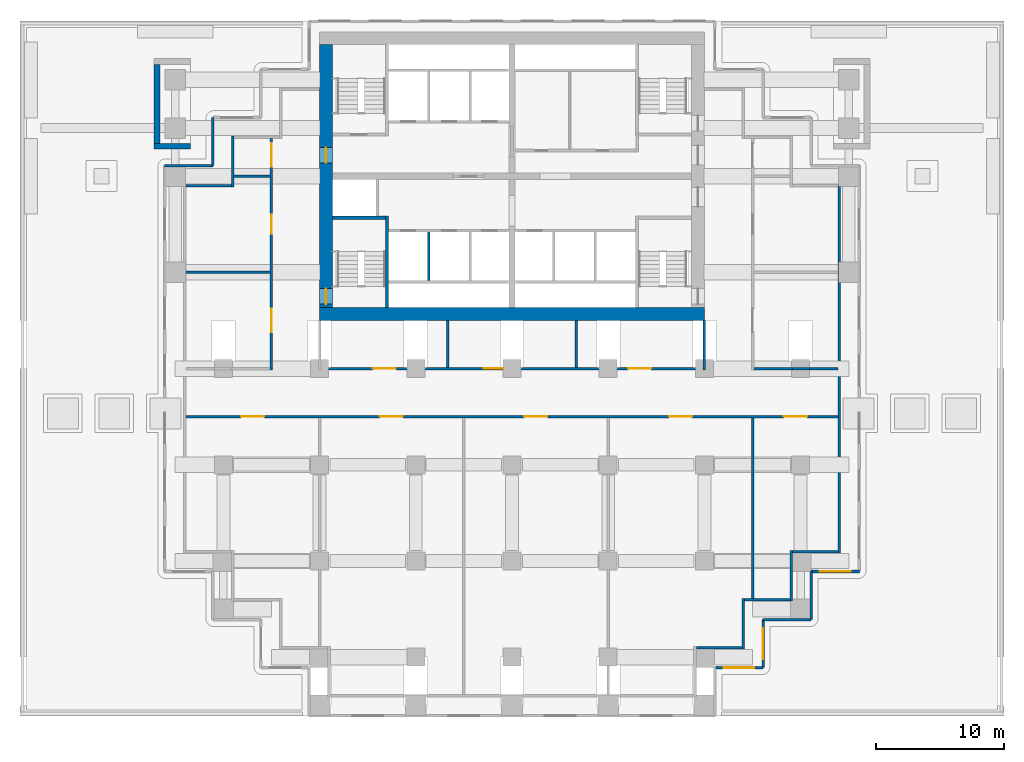
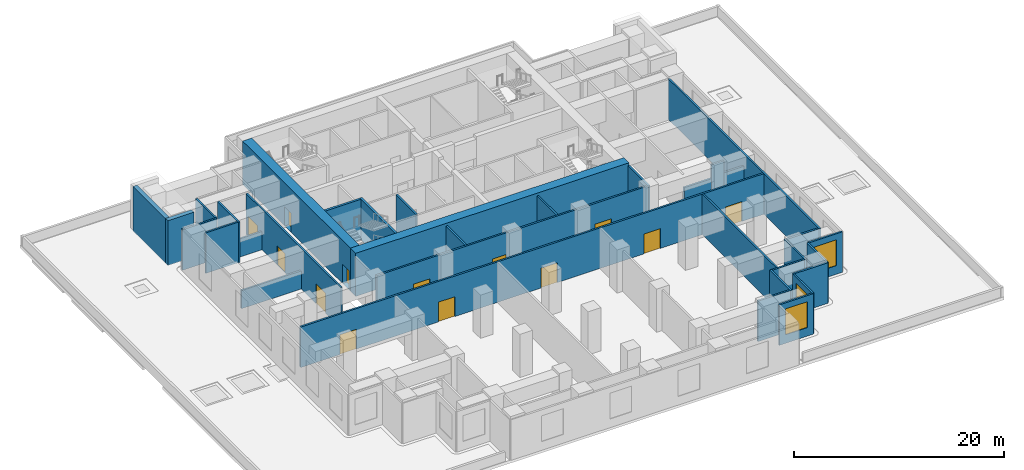
# One storey, part 3 of 9: 34 walls, 13 doors, 3 windows, 16 openings.
"""IFC4 building model written with IfcOpenShell, lengths in metres."""

from ifc_helpers import new_model, si_unit, direction, frame, frame_2d, origin, place, context, subcontext, project, spatial, rectangle, extrude, material, layer, layer_set, type_object, element, fill, save


model = new_model("IFC4")

# Units and contexts
model_context = context("Model", 3, precision=1e-05, world=origin(), true_north=direction((0.0, 1.0)))
body_context = subcontext(model_context, "Body", "Model", "MODEL_VIEW")
ifc_project = project(units=[si_unit("LENGTHUNIT", "METRE"), si_unit("AREAUNIT", "SQUARE_METRE"), si_unit("VOLUMEUNIT", "CUBIC_METRE"), si_unit("PLANEANGLEUNIT", "RADIAN"), si_unit("MASSUNIT", "GRAM", prefix="KILO")], contexts=[model_context])

# Site, building, storey
site_placement = place(None, origin())
site = spatial("IfcSite", under=ifc_project, at=site_placement, CompositionType="ELEMENT")
building_placement = place(site_placement, origin())
building = spatial("IfcBuilding", under=site, at=building_placement, Name="Pilkhan Gate Tower", CompositionType="ELEMENT")
storey_placement = place(building_placement, frame((0.0, 0.0, 30.0)))
storey = spatial("IfcBuildingStorey", under=building, at=storey_placement, Name="L04", CompositionType="ELEMENT", Elevation=30.0)

# Wall
ifc_material_1 = material(Name="Concrete C70/85", Category="concrete")
ifc_layer_1 = layer(ifc_material_1, 1.0)
ifc_layer_set_1 = layer_set([ifc_layer_1], Name="Core wall CW1000 C70/85")
wall_type_1 = type_object("IfcWallType", Name="Core wall CW1000 C70/85", PredefinedType="SHEAR", material=ifc_layer_set_1)
wall_1_placement = place(storey_placement, frame((60.0, 71.75, 0.0), z_axis=(0.0, 0.0, 1.0), x_axis=(1.0, 0.0, 0.0)))
element("IfcWall", 1, at=wall_1_placement, inside=storey, type_object=wall_type_1, Name="Core wall S L04", PredefinedType="SHEAR", context=body_context, shape_type="SweptSolid", body=[
    extrude(rectangle(XDim=30.0, YDim=1.0, at=frame_2d((15.0, 0.0))), origin(), (0.0, 0.0, 1.0), 5.0),
])

# Wall, openings, doors
wall_2_placement = place(storey_placement, frame((60.5, 92.75, 0.0), z_axis=(0.0, 0.0, 1.0), x_axis=(0.0, -1.0, 0.0)))
wall_2 = element("IfcWall", 2, at=wall_2_placement, inside=storey, type_object=wall_type_1, Name="Core wall W L04", PredefinedType="SHEAR", context=body_context, shape_type="SweptSolid", body=[
    extrude(rectangle(XDim=20.5, YDim=1.0, at=frame_2d((10.25, 0.0))), origin(), (0.0, 0.0, 1.0), 5.0),
])
opening_1_placement = place(wall_2_placement, frame((19.02490234375, 0.0, 0.0)))
opening_1 = element("IfcOpeningElement", 3, at=opening_1_placement, cuts=wall_2, Name="Opening L04-04", PredefinedType="OPENING", context=body_context, shape_type="SweptSolid", body=[
    extrude(rectangle(XDim=1.199951171875, YDim=2.199951171875, at=frame_2d((0.60009765625, 1.10009765625))), frame((0.0, 0.510009765625, 0.0), z_axis=(0.0, -1.0, 0.0), x_axis=(1.0, 0.0, 0.0)), (0.0, 0.0, 1.0), 1.02001953125),
])
opening_2_placement = place(wall_2_placement, frame((8.02490234375, 0.0, 0.0)))
opening_2 = element("IfcOpeningElement", 4, at=opening_2_placement, cuts=wall_2, Name="Opening L04-10", PredefinedType="OPENING", context=body_context, shape_type="SweptSolid", body=[
    extrude(rectangle(XDim=1.199951171875, YDim=2.199951171875, at=frame_2d((0.60009765625, 1.10009765625))), frame((0.0, 0.510009765625, 0.0), z_axis=(0.0, -1.0, 0.0), x_axis=(1.0, 0.0, 0.0)), (0.0, 0.0, 1.0), 1.02001953125),
])
ifc_material_2 = material(Name="Steel door, 120 minute fire resisting, self-closing", Category="steel")
door_type_1 = type_object("IfcDoorType", Name="Firefighting lobby door D10 1200x2200", OperationType="SINGLE_SWING_LEFT", PredefinedType="DOOR", material=ifc_material_2)
door_1_placement = place(opening_2_placement, origin())
door_1 = element("IfcDoor", 5, at=door_1_placement, inside=storey, type_object=door_type_1, Name="Core door", OperationType="SINGLE_SWING_LEFT", OverallHeight=2.199951171875, OverallWidth=1.199951171875, PredefinedType="DOOR", context=body_context, shape_type="SweptSolid", body=[
    extrude(rectangle(XDim=1.199951171875, YDim=2.199951171875, at=frame_2d((0.60009765625, 1.10009765625))), frame((0.0, 0.02490234375, 0.0), z_axis=(0.0, -1.0, 0.0), x_axis=(1.0, 0.0, 0.0)), (0.0, 0.0, 1.0), 0.050048828125),
])
fill(opening_2, door_1)
ifc_material_3 = material(Name="Steel door, 120 minute fire resisting, panic bar", Category="steel")
door_type_2 = type_object("IfcDoorType", Name="Stair door D11 1200x2200", OperationType="SINGLE_SWING_LEFT", PredefinedType="DOOR", material=ifc_material_3)
door_2_placement = place(opening_1_placement, origin())
door_2 = element("IfcDoor", 6, at=door_2_placement, inside=storey, type_object=door_type_2, Name="Stair ST2 door", OperationType="SINGLE_SWING_RIGHT", OverallHeight=2.199951171875, OverallWidth=1.199951171875, PredefinedType="DOOR", context=body_context, shape_type="SweptSolid", body=[
    extrude(rectangle(XDim=1.199951171875, YDim=2.199951171875, at=frame_2d((0.60009765625, 1.10009765625))), frame((0.0, 0.02490234375, 0.0), z_axis=(0.0, -1.0, 0.0), x_axis=(1.0, 0.0, 0.0)), (0.0, 0.0, 1.0), 0.050048828125),
])
fill(opening_1, door_2)

# Walls
ifc_material_4 = material(Name="Dense blockwork", Category="masonry")
ifc_layer_2 = layer(ifc_material_4, 0.199951171875)
ifc_layer_set_2 = layer_set([ifc_layer_2], Name="Lobby wall LW200")
wall_type_2 = type_object("IfcWallType", Name="Lobby wall LW200", PredefinedType="PARTITIONING", material=ifc_layer_set_2)
for number, where, z_axis, x_axis, name in (
    (7, (89.364990234375, 45.735107421875, 0.0), (0.0, 0.0, 1.0), (1.0, 0.0, 0.0), "Partition L04"),
    (8, (93.114990234375, 49.485107421875, 0.0), (0.0, 0.0, 1.0), (1.0, 0.0, 0.0), "Partition L04"),
    (9, (96.864990234375, 53.235107421875, 0.0), (0.0, 0.0, 1.0), (1.0, 0.0, 0.0), "Partition L04"),
):
    element("IfcWall", number, at=place(storey_placement, frame(where, z_axis=z_axis, x_axis=x_axis)), inside=storey, type_object=wall_type_2, Name=name, PredefinedType="PARTITIONING", context=body_context, shape_type="SweptSolid", body=[
        extrude(rectangle(XDim=3.550048828125, YDim=0.199951171875, at=frame_2d((1.77490234375, 0.0))), origin(), (0.0, 0.0, 1.0), 4.699951171875),
    ])

# Wall, openings, doors
wall_3_placement = place(storey_placement, frame((49.5849609375, 63.75, 0.0), z_axis=(0.0, 0.0, 1.0), x_axis=(1.0, 0.0, 0.0)))
wall_3 = element("IfcWall", 10, at=wall_3_placement, inside=storey, type_object=wall_type_2, Name="Partition L04", PredefinedType="PARTITIONING", context=body_context, shape_type="SweptSolid", body=[
    extrude(rectangle(XDim=50.830078125, YDim=0.199951171875, at=frame_2d((25.4150390625, 0.0))), origin(), (0.0, 0.0, 1.0), 4.699951171875),
])
opening_3_placement = place(wall_3_placement, frame((4.300048828125, 0.0, 0.0)))
opening_3 = element("IfcOpeningElement", 11, at=opening_3_placement, cuts=wall_3, Name="Opening L04-14", PredefinedType="OPENING", context=body_context, shape_type="SweptSolid", body=[
    extrude(rectangle(XDim=1.800048828125, YDim=2.300048828125, at=frame_2d((0.89990234375, 1.14990234375))), frame((0.0, 0.10986328125, 0.0), z_axis=(0.0, -1.0, 0.0), x_axis=(1.0, 0.0, 0.0)), (0.0, 0.0, 1.0), 0.219970703125),
])
opening_4_placement = place(wall_3_placement, frame((15.114990234375, 0.0, 0.0)))
opening_4 = element("IfcOpeningElement", 12, at=opening_4_placement, cuts=wall_3, Name="Opening L04-15", PredefinedType="OPENING", context=body_context, shape_type="SweptSolid", body=[
    extrude(rectangle(XDim=1.800048828125, YDim=2.300048828125, at=frame_2d((0.89990234375, 1.14990234375))), frame((0.0, 0.10986328125, 0.0), z_axis=(0.0, -1.0, 0.0), x_axis=(1.0, 0.0, 0.0)), (0.0, 0.0, 1.0), 0.219970703125),
])
opening_5_placement = place(wall_3_placement, frame((26.364990234375, 0.0, 0.0)))
opening_5 = element("IfcOpeningElement", 13, at=opening_5_placement, cuts=wall_3, Name="Opening L04-16", PredefinedType="OPENING", context=body_context, shape_type="SweptSolid", body=[
    extrude(rectangle(XDim=1.800048828125, YDim=2.300048828125, at=frame_2d((0.89990234375, 1.14990234375))), frame((0.0, 0.10986328125, 0.0), z_axis=(0.0, -1.0, 0.0), x_axis=(1.0, 0.0, 0.0)), (0.0, 0.0, 1.0), 0.219970703125),
])
opening_6_placement = place(wall_3_placement, frame((37.6650390625, 0.0, 0.0)))
opening_6 = element("IfcOpeningElement", 14, at=opening_6_placement, cuts=wall_3, Name="Opening L04-17", PredefinedType="OPENING", context=body_context, shape_type="SweptSolid", body=[
    extrude(rectangle(XDim=1.800048828125, YDim=2.300048828125, at=frame_2d((0.89990234375, 1.14990234375))), frame((0.0, 0.10986328125, 0.0), z_axis=(0.0, -1.0, 0.0), x_axis=(1.0, 0.0, 0.0)), (0.0, 0.0, 1.0), 0.219970703125),
])
opening_7_placement = place(wall_3_placement, frame((46.614990234375, 0.0, 0.0)))
opening_7 = element("IfcOpeningElement", 15, at=opening_7_placement, cuts=wall_3, Name="Opening L04-18", PredefinedType="OPENING", context=body_context, shape_type="SweptSolid", body=[
    extrude(rectangle(XDim=1.800048828125, YDim=2.300048828125, at=frame_2d((0.89990234375, 1.14990234375))), frame((0.0, 0.10986328125, 0.0), z_axis=(0.0, -1.0, 0.0), x_axis=(1.0, 0.0, 0.0)), (0.0, 0.0, 1.0), 0.219970703125),
])
ifc_material_5 = material(Name="Steel door, 120 minute fire resisting", Category="steel")
door_type_3 = type_object("IfcDoorType", Name="Plant room door D08A 1800x2300", OperationType="DOUBLE_DOOR_SINGLE_SWING", PredefinedType="DOOR", material=ifc_material_5)
door_3_placement = place(opening_3_placement, origin())
door_3 = element("IfcDoor", 16, at=door_3_placement, inside=storey, type_object=door_type_3, Name="Plant room door", OperationType="DOUBLE_DOOR_SINGLE_SWING", OverallHeight=2.300048828125, OverallWidth=1.800048828125, PredefinedType="DOOR", context=body_context, shape_type="SweptSolid", body=[
    extrude(rectangle(XDim=1.800048828125, YDim=2.300048828125, at=frame_2d((0.89990234375, 1.14990234375))), frame((0.0, 0.02490234375, 0.0), z_axis=(0.0, -1.0, 0.0), x_axis=(1.0, 0.0, 0.0)), (0.0, 0.0, 1.0), 0.050048828125),
])
fill(opening_3, door_3)
door_4_placement = place(opening_4_placement, origin())
door_4 = element("IfcDoor", 17, at=door_4_placement, inside=storey, type_object=door_type_3, Name="Plant room door", OperationType="DOUBLE_DOOR_SINGLE_SWING", OverallHeight=2.300048828125, OverallWidth=1.800048828125, PredefinedType="DOOR", context=body_context, shape_type="SweptSolid", body=[
    extrude(rectangle(XDim=1.800048828125, YDim=2.300048828125, at=frame_2d((0.89990234375, 1.14990234375))), frame((0.0, 0.02490234375, 0.0), z_axis=(0.0, -1.0, 0.0), x_axis=(1.0, 0.0, 0.0)), (0.0, 0.0, 1.0), 0.050048828125),
])
fill(opening_4, door_4)
door_5_placement = place(opening_5_placement, origin())
door_5 = element("IfcDoor", 18, at=door_5_placement, inside=storey, type_object=door_type_3, Name="Plant room door", OperationType="DOUBLE_DOOR_SINGLE_SWING", OverallHeight=2.300048828125, OverallWidth=1.800048828125, PredefinedType="DOOR", context=body_context, shape_type="SweptSolid", body=[
    extrude(rectangle(XDim=1.800048828125, YDim=2.300048828125, at=frame_2d((0.89990234375, 1.14990234375))), frame((0.0, 0.02490234375, 0.0), z_axis=(0.0, -1.0, 0.0), x_axis=(1.0, 0.0, 0.0)), (0.0, 0.0, 1.0), 0.050048828125),
])
fill(opening_5, door_5)
door_6_placement = place(opening_6_placement, origin())
door_6 = element("IfcDoor", 19, at=door_6_placement, inside=storey, type_object=door_type_3, Name="Plant room door", OperationType="DOUBLE_DOOR_SINGLE_SWING", OverallHeight=2.300048828125, OverallWidth=1.800048828125, PredefinedType="DOOR", context=body_context, shape_type="SweptSolid", body=[
    extrude(rectangle(XDim=1.800048828125, YDim=2.300048828125, at=frame_2d((0.89990234375, 1.14990234375))), frame((0.0, 0.02490234375, 0.0), z_axis=(0.0, -1.0, 0.0), x_axis=(1.0, 0.0, 0.0)), (0.0, 0.0, 1.0), 0.050048828125),
])
fill(opening_6, door_6)
door_7_placement = place(opening_7_placement, origin())
door_7 = element("IfcDoor", 20, at=door_7_placement, inside=storey, type_object=door_type_3, Name="Plant room door", OperationType="DOUBLE_DOOR_SINGLE_SWING", OverallHeight=2.300048828125, OverallWidth=1.800048828125, PredefinedType="DOOR", context=body_context, shape_type="SweptSolid", body=[
    extrude(rectangle(XDim=1.800048828125, YDim=2.300048828125, at=frame_2d((0.89990234375, 1.14990234375))), frame((0.0, 0.02490234375, 0.0), z_axis=(0.0, -1.0, 0.0), x_axis=(1.0, 0.0, 0.0)), (0.0, 0.0, 1.0), 0.050048828125),
])
fill(opening_7, door_7)

wall_4_placement = place(storey_placement, frame((60.10009765625, 67.5, 0.0), z_axis=(0.0, 0.0, 1.0), x_axis=(1.0, 0.0, 0.0)))
wall_4 = element("IfcWall", 21, at=wall_4_placement, inside=storey, type_object=wall_type_2, Name="Partition L04", PredefinedType="PARTITIONING", context=body_context, shape_type="SweptSolid", body=[
    extrude(rectangle(XDim=29.7998046875, YDim=0.199951171875, at=frame_2d((14.89990234375, 0.0))), origin(), (0.0, 0.0, 1.0), 4.699951171875),
])
opening_8_placement = place(wall_4_placement, frame((12.699951171875, 0.0, 0.0)))
opening_8 = element("IfcOpeningElement", 22, at=opening_8_placement, cuts=wall_4, Name="Opening L04-06", PredefinedType="OPENING", context=body_context, shape_type="SweptSolid", body=[
    extrude(rectangle(XDim=1.5, YDim=2.199951171875, at=frame_2d((0.75, 1.10009765625))), frame((0.0, 0.10986328125, 0.0), z_axis=(0.0, -1.0, 0.0), x_axis=(1.0, 0.0, 0.0)), (0.0, 0.0, 1.0), 0.219970703125),
])
opening_9_placement = place(wall_4_placement, frame((4.050048828125, 0.0, 0.0)))
opening_9 = element("IfcOpeningElement", 23, at=opening_9_placement, cuts=wall_4, Name="Opening L04-19", PredefinedType="OPENING", context=body_context, shape_type="SweptSolid", body=[
    extrude(rectangle(XDim=1.800048828125, YDim=2.300048828125, at=frame_2d((0.89990234375, 1.14990234375))), frame((0.0, 0.10986328125, 0.0), z_axis=(0.0, -1.0, 0.0), x_axis=(1.0, 0.0, 0.0)), (0.0, 0.0, 1.0), 0.219970703125),
])
opening_10_placement = place(wall_4_placement, frame((23.949951171875, 0.0, 0.0)))
opening_10 = element("IfcOpeningElement", 24, at=opening_10_placement, cuts=wall_4, Name="Opening L04-20", PredefinedType="OPENING", context=body_context, shape_type="SweptSolid", body=[
    extrude(rectangle(XDim=1.800048828125, YDim=2.300048828125, at=frame_2d((0.89990234375, 1.14990234375))), frame((0.0, 0.10986328125, 0.0), z_axis=(0.0, -1.0, 0.0), x_axis=(1.0, 0.0, 0.0)), (0.0, 0.0, 1.0), 0.219970703125),
])
ifc_material_6 = material(Name="Steel framed glazed door, 60 minute fire resisting", Category="steel")
door_type_4 = type_object("IfcDoorType", Name="Lobby door D09 1500x2200", OperationType="DOUBLE_DOOR_SINGLE_SWING", PredefinedType="DOOR", material=ifc_material_6)
door_8_placement = place(opening_8_placement, origin())
door_8 = element("IfcDoor", 25, at=door_8_placement, inside=storey, type_object=door_type_4, Name="Refuge door", OperationType="DOUBLE_DOOR_SINGLE_SWING", OverallHeight=2.199951171875, OverallWidth=1.5, PredefinedType="DOOR", context=body_context, shape_type="SweptSolid", body=[
    extrude(rectangle(XDim=1.5, YDim=2.199951171875, at=frame_2d((0.75, 1.10009765625))), frame((0.0, 0.02490234375, 0.0), z_axis=(0.0, -1.0, 0.0), x_axis=(1.0, 0.0, 0.0)), (0.0, 0.0, 1.0), 0.050048828125),
])
fill(opening_8, door_8)
door_9_placement = place(opening_9_placement, origin())
door_9 = element("IfcDoor", 26, at=door_9_placement, inside=storey, type_object=door_type_3, Name="Plant room door", OperationType="DOUBLE_DOOR_SINGLE_SWING", OverallHeight=2.300048828125, OverallWidth=1.800048828125, PredefinedType="DOOR", context=body_context, shape_type="SweptSolid", body=[
    extrude(rectangle(XDim=1.800048828125, YDim=2.300048828125, at=frame_2d((0.89990234375, 1.14990234375))), frame((0.0, 0.02490234375, 0.0), z_axis=(0.0, -1.0, 0.0), x_axis=(1.0, 0.0, 0.0)), (0.0, 0.0, 1.0), 0.050048828125),
])
fill(opening_9, door_9)
door_10_placement = place(opening_10_placement, origin())
door_10 = element("IfcDoor", 27, at=door_10_placement, inside=storey, type_object=door_type_3, Name="Plant room door", OperationType="DOUBLE_DOOR_SINGLE_SWING", OverallHeight=2.300048828125, OverallWidth=1.800048828125, PredefinedType="DOOR", context=body_context, shape_type="SweptSolid", body=[
    extrude(rectangle(XDim=1.800048828125, YDim=2.300048828125, at=frame_2d((0.89990234375, 1.14990234375))), frame((0.0, 0.02490234375, 0.0), z_axis=(0.0, -1.0, 0.0), x_axis=(1.0, 0.0, 0.0)), (0.0, 0.0, 1.0), 0.050048828125),
])
fill(opening_10, door_10)

# Walls
wall_5_placement = place(storey_placement, frame((93.85009765625, 67.5, 0.0), z_axis=(0.0, 0.0, 1.0), x_axis=(1.0, 0.0, 0.0)))
element("IfcWall", 28, at=wall_5_placement, inside=storey, type_object=wall_type_2, Name="Partition L04", PredefinedType="PARTITIONING", context=body_context, shape_type="SweptSolid", body=[
    extrude(rectangle(XDim=3.0, YDim=0.199951171875, at=frame_2d((1.5, 0.0))), origin(), (0.0, 0.0, 1.0), 3.10009765625),
])
wall_6_placement = place(storey_placement, frame((96.85009765625, 67.5, 0.0), z_axis=(0.0, 0.0, 1.0), x_axis=(1.0, 0.0, 0.0)))
element("IfcWall", 29, at=wall_6_placement, inside=storey, type_object=wall_type_2, Name="Partition L04", PredefinedType="PARTITIONING", context=body_context, shape_type="SweptSolid", body=[
    extrude(rectangle(XDim=1.349853515625, YDim=0.199951171875, at=frame_2d((0.6748046875, 0.0))), origin(), (0.0, 0.0, 1.0), 4.699951171875),
])
wall_7_placement = place(storey_placement, frame((98.199951171875, 67.5, 0.0), z_axis=(0.0, 0.0, 1.0), x_axis=(1.0, 0.0, 0.0)))
element("IfcWall", 30, at=wall_7_placement, inside=storey, type_object=wall_type_2, Name="Partition L04", PredefinedType="PARTITIONING", context=body_context, shape_type="SweptSolid", body=[
    extrude(rectangle(XDim=2.215087890625, YDim=0.199951171875, at=frame_2d((1.107421875, 0.0))), origin(), (0.0, 0.0, 1.0), 3.300048828125),
])
wall_8_placement = place(storey_placement, frame((49.5849609375, 75.0, 0.0), z_axis=(0.0, 0.0, 1.0), x_axis=(1.0, 0.0, 0.0)))
element("IfcWall", 31, at=wall_8_placement, inside=storey, type_object=wall_type_2, Name="Partition L04", PredefinedType="PARTITIONING", context=body_context, shape_type="SweptSolid", body=[
    extrude(rectangle(XDim=6.56494140625, YDim=0.199951171875, at=frame_2d((3.282470703125, 0.0))), origin(), (0.0, 0.0, 1.0), 2.10009765625),
])
wall_9_placement = place(storey_placement, frame((49.5849609375, 81.764892578125, 0.0), z_axis=(0.0, 0.0, 1.0), x_axis=(1.0, 0.0, 0.0)))
element("IfcWall", 32, at=wall_9_placement, inside=storey, type_object=wall_type_2, Name="Partition L04", PredefinedType="PARTITIONING", context=body_context, shape_type="SweptSolid", body=[
    extrude(rectangle(XDim=3.550048828125, YDim=0.199951171875, at=frame_2d((1.77490234375, 0.0))), origin(), (0.0, 0.0, 1.0), 4.699951171875),
])
wall_10_placement = place(storey_placement, frame((53.3349609375, 82.5, 0.0), z_axis=(0.0, 0.0, 1.0), x_axis=(1.0, 0.0, 0.0)))
element("IfcWall", 33, at=wall_10_placement, inside=storey, type_object=wall_type_2, Name="Partition L04", PredefinedType="PARTITIONING", context=body_context, shape_type="SweptSolid", body=[
    extrude(rectangle(XDim=2.81494140625, YDim=0.199951171875, at=frame_2d((1.407470703125, 0.0))), origin(), (0.0, 0.0, 1.0), 2.10009765625),
])
wall_11_placement = place(storey_placement, frame((53.235107421875, 81.6650390625, 0.0), z_axis=(0.0, 0.0, 1.0), x_axis=(0.0, 1.0, 0.0)))
element("IfcWall", 34, at=wall_11_placement, inside=storey, type_object=wall_type_2, Name="Partition L04", PredefinedType="PARTITIONING", context=body_context, shape_type="SweptSolid", body=[
    extrude(rectangle(XDim=3.949951171875, YDim=0.199951171875, at=frame_2d((1.97509765625, 0.0))), origin(), (0.0, 0.0, 1.0), 4.699951171875),
])

# Wall, openings, doors
wall_12_placement = place(storey_placement, frame((56.25, 67.39990234375, 0.0), z_axis=(0.0, 0.0, 1.0), x_axis=(0.0, 1.0, 0.0)))
wall_12 = element("IfcWall", 35, at=wall_12_placement, inside=storey, type_object=wall_type_2, Name="Partition L04", PredefinedType="PARTITIONING", context=body_context, shape_type="SweptSolid", body=[
    extrude(rectangle(XDim=18.01513671875, YDim=0.199951171875, at=frame_2d((9.007568359375, 0.0))), origin(), (0.0, 0.0, 1.0), 4.699951171875),
])
opening_11_placement = place(wall_12_placement, frame((10.60009765625, 0.0, 0.0)))
opening_11 = element("IfcOpeningElement", 36, at=opening_11_placement, cuts=wall_12, Name="Opening L04-07", PredefinedType="OPENING", context=body_context, shape_type="SweptSolid", body=[
    extrude(rectangle(XDim=1.5, YDim=2.199951171875, at=frame_2d((0.75, 1.10009765625))), frame((0.0, 0.10986328125, 0.0), z_axis=(0.0, -1.0, 0.0), x_axis=(1.0, 0.0, 0.0)), (0.0, 0.0, 1.0), 0.219970703125),
])
opening_12_placement = place(wall_12_placement, frame((2.949951171875, 0.0, 0.0)))
opening_12 = element("IfcOpeningElement", 37, at=opening_12_placement, cuts=wall_12, Name="Opening L04-21", PredefinedType="OPENING", context=body_context, shape_type="SweptSolid", body=[
    extrude(rectangle(XDim=1.800048828125, YDim=2.300048828125, at=frame_2d((0.89990234375, 1.14990234375))), frame((0.0, 0.10986328125, 0.0), z_axis=(0.0, -1.0, 0.0), x_axis=(1.0, 0.0, 0.0)), (0.0, 0.0, 1.0), 0.219970703125),
])
opening_13_placement = place(wall_12_placement, frame((15.85009765625, 0.0, 0.0)))
opening_13 = element("IfcOpeningElement", 38, at=opening_13_placement, cuts=wall_12, Name="Opening L04-22", PredefinedType="OPENING", context=body_context, shape_type="SweptSolid", body=[
    extrude(rectangle(XDim=1.800048828125, YDim=2.300048828125, at=frame_2d((0.89990234375, 1.14990234375))), frame((0.0, 0.10986328125, 0.0), z_axis=(0.0, -1.0, 0.0), x_axis=(1.0, 0.0, 0.0)), (0.0, 0.0, 1.0), 0.219970703125),
])
door_11_placement = place(opening_11_placement, origin())
door_11 = element("IfcDoor", 39, at=door_11_placement, inside=storey, type_object=door_type_4, Name="Refuge door", OperationType="DOUBLE_DOOR_SINGLE_SWING", OverallHeight=2.199951171875, OverallWidth=1.5, PredefinedType="DOOR", context=body_context, shape_type="SweptSolid", body=[
    extrude(rectangle(XDim=1.5, YDim=2.199951171875, at=frame_2d((0.75, 1.10009765625))), frame((0.0, 0.02490234375, 0.0), z_axis=(0.0, -1.0, 0.0), x_axis=(1.0, 0.0, 0.0)), (0.0, 0.0, 1.0), 0.050048828125),
])
fill(opening_11, door_11)
door_12_placement = place(opening_12_placement, origin())
door_12 = element("IfcDoor", 40, at=door_12_placement, inside=storey, type_object=door_type_3, Name="Plant room door", OperationType="DOUBLE_DOOR_SINGLE_SWING", OverallHeight=2.300048828125, OverallWidth=1.800048828125, PredefinedType="DOOR", context=body_context, shape_type="SweptSolid", body=[
    extrude(rectangle(XDim=1.800048828125, YDim=2.300048828125, at=frame_2d((0.89990234375, 1.14990234375))), frame((0.0, 0.02490234375, 0.0), z_axis=(0.0, -1.0, 0.0), x_axis=(1.0, 0.0, 0.0)), (0.0, 0.0, 1.0), 0.050048828125),
])
fill(opening_12, door_12)
door_13_placement = place(opening_13_placement, origin())
door_13 = element("IfcDoor", 41, at=door_13_placement, inside=storey, type_object=door_type_3, Name="Plant room door", OperationType="DOUBLE_DOOR_SINGLE_SWING", OverallHeight=2.300048828125, OverallWidth=1.800048828125, PredefinedType="DOOR", context=body_context, shape_type="SweptSolid", body=[
    extrude(rectangle(XDim=1.800048828125, YDim=2.300048828125, at=frame_2d((0.89990234375, 1.14990234375))), frame((0.0, 0.02490234375, 0.0), z_axis=(0.0, -1.0, 0.0), x_axis=(1.0, 0.0, 0.0)), (0.0, 0.0, 1.0), 0.050048828125),
])
fill(opening_13, door_13)

# Walls
for number, where, z_axis, x_axis, name in (
    (42, (70.0, 67.60009765625, 0.0), (0.0, 0.0, 1.0), (0.0, 1.0, 0.0), "Partition L04"),
    (43, (80.0, 67.60009765625, 0.0), (0.0, 0.0, 1.0), (0.0, 1.0, 0.0), "Partition L04"),
):
    element("IfcWall", number, at=place(storey_placement, frame(where, z_axis=z_axis, x_axis=x_axis)), inside=storey, type_object=wall_type_2, Name=name, PredefinedType="PARTITIONING", context=body_context, shape_type="SweptSolid", body=[
        extrude(rectangle(XDim=3.639892578125, YDim=0.199951171875, at=frame_2d((1.81982421875, 0.0))), origin(), (0.0, 0.0, 1.0), 4.699951171875),
    ])
wall_13_placement = place(storey_placement, frame((90.0, 67.39990234375, 0.0), z_axis=(0.0, 0.0, 1.0), x_axis=(0.0, 1.0, 0.0)))
element("IfcWall", 44, at=wall_13_placement, inside=storey, type_object=wall_type_2, Name="Partition L04", PredefinedType="PARTITIONING", context=body_context, shape_type="SweptSolid", body=[
    extrude(rectangle(XDim=3.840087890625, YDim=0.199951171875, at=frame_2d((1.919921875, 0.0))), origin(), (0.0, 0.0, 1.0), 4.699951171875),
])
wall_14_placement = place(storey_placement, frame((93.014892578125, 45.635009765625, 0.0), z_axis=(0.0, 0.0, 1.0), x_axis=(0.0, 1.0, 0.0)))
element("IfcWall", 45, at=wall_14_placement, inside=storey, type_object=wall_type_2, Name="Partition L04", PredefinedType="PARTITIONING", context=body_context, shape_type="SweptSolid", body=[
    extrude(rectangle(XDim=3.949951171875, YDim=0.199951171875, at=frame_2d((1.97509765625, 0.0))), origin(), (0.0, 0.0, 1.0), 4.699951171875),
])
wall_15_placement = place(storey_placement, frame((93.75, 49.5849609375, 0.0), z_axis=(0.0, 0.0, 1.0), x_axis=(0.0, 1.0, 0.0)))
element("IfcWall", 46, at=wall_15_placement, inside=storey, type_object=wall_type_2, Name="Partition L04", PredefinedType="PARTITIONING", context=body_context, shape_type="SweptSolid", body=[
    extrude(rectangle(XDim=14.06494140625, YDim=0.199951171875, at=frame_2d((7.032470703125, 0.0))), origin(), (0.0, 0.0, 1.0), 4.699951171875),
])
wall_16_placement = place(storey_placement, frame((96.764892578125, 49.385009765625, 0.0), z_axis=(0.0, 0.0, 1.0), x_axis=(0.0, 1.0, 0.0)))
element("IfcWall", 47, at=wall_16_placement, inside=storey, type_object=wall_type_2, Name="Partition L04", PredefinedType="PARTITIONING", context=body_context, shape_type="SweptSolid", body=[
    extrude(rectangle(XDim=3.949951171875, YDim=0.199951171875, at=frame_2d((1.97509765625, 0.0))), origin(), (0.0, 0.0, 1.0), 4.699951171875),
])
wall_17_placement = place(storey_placement, frame((100.514892578125, 53.135009765625, 0.0), z_axis=(0.0, 0.0, 1.0), x_axis=(0.0, 1.0, 0.0)))
element("IfcWall", 48, at=wall_17_placement, inside=storey, type_object=wall_type_2, Name="Partition L04", PredefinedType="PARTITIONING", context=body_context, shape_type="SweptSolid", body=[
    extrude(rectangle(XDim=28.72998046875, YDim=0.199951171875, at=frame_2d((14.364990234375, 0.0))), origin(), (0.0, 0.0, 1.0), 4.699951171875),
])
ifc_material_7 = material(Name="Pale anodised aluminium cladding", Category="aluminium")
ifc_layer_3 = layer(ifc_material_7, 0.199951171875)
ifc_layer_set_3 = layer_set([ifc_layer_3], Name="Plant screen wall PS200")
wall_type_3 = type_object("IfcWallType", Name="Plant screen wall PS200", PredefinedType="SOLIDWALL", material=ifc_layer_set_3)
for number, where, z_axis, x_axis, name in (
    (49, (51.679931640625, 83.320068359375, 0.0), (0.0, 0.0, 1.0), (0.0, 1.0, 0.0), "Plant screen wall L04 W"),
    (50, (47.929931640625, 83.320068359375, 0.0), (0.0, 0.0, 1.0), (1.0, 0.0, 0.0), "Plant screen wall L04 N"),
):
    element("IfcWall", number, at=place(storey_placement, frame(where, z_axis=z_axis, x_axis=x_axis)), inside=storey, type_object=wall_type_3, Name=name, PredefinedType="SOLIDWALL", context=body_context, shape_type="SweptSolid", body=[
        extrude(rectangle(XDim=3.75, YDim=0.199951171875, at=frame_2d((1.875, 0.0))), origin(), (0.0, 0.0, 1.0), 4.699951171875),
    ])

# Wall, opening, window
wall_18_placement = place(storey_placement, frame((90.820068359375, 44.179931640625, 0.0), z_axis=(0.0, 0.0, 1.0), x_axis=(1.0, 0.0, 0.0)))
wall_18 = element("IfcWall", 51, at=wall_18_placement, inside=storey, type_object=wall_type_3, Name="Plant screen wall L04 S", PredefinedType="SOLIDWALL", context=body_context, shape_type="SweptSolid", body=[
    extrude(rectangle(XDim=3.75, YDim=0.199951171875, at=frame_2d((1.875, 0.0))), origin(), (0.0, 0.0, 1.0), 4.699951171875),
])
opening_14_placement = place(wall_18_placement, frame((0.675048828125, 0.0, 1.0)))
opening_14 = element("IfcOpeningElement", 52, at=opening_14_placement, cuts=wall_18, Name="Opening WL1", PredefinedType="OPENING", context=body_context, shape_type="SweptSolid", body=[
    extrude(rectangle(XDim=2.39990234375, YDim=3.0, at=frame_2d((1.199951171875, 1.5))), frame((0.0, 0.10986328125, 0.0), z_axis=(0.0, -1.0, 0.0), x_axis=(1.0, 0.0, 0.0)), (0.0, 0.0, 1.0), 0.219970703125),
])
ifc_material_8 = material(Name="Pale anodised aluminium storm louvre, bird mesh", Category="aluminium")
window_type = type_object("IfcWindowType", Name="Plant louvre WL1 2400x3000", PartitioningType="SINGLE_PANEL", PredefinedType="USERDEFINED", material=ifc_material_8)
window_1_placement = place(opening_14_placement, origin())
window_1 = element("IfcWindow", 53, at=window_1_placement, inside=storey, type_object=window_type, Name="Louvre L04", ObjectType="LOUVRE", OverallHeight=3.0, OverallWidth=2.39990234375, PartitioningType="SINGLE_PANEL", PredefinedType="USERDEFINED", context=body_context, shape_type="SweptSolid", body=[
    extrude(rectangle(XDim=2.39990234375, YDim=3.0, at=frame_2d((1.199951171875, 1.5))), frame((0.0, 0.030029296875, 0.0), z_axis=(0.0, -1.0, 0.0), x_axis=(1.0, 0.0, 0.0)), (0.0, 0.0, 1.0), 0.06005859375),
])
fill(opening_14, window_1)

wall_19_placement = place(storey_placement, frame((94.570068359375, 44.179931640625, 0.0), z_axis=(0.0, 0.0, 1.0), x_axis=(0.0, 1.0, 0.0)))
wall_19 = element("IfcWall", 54, at=wall_19_placement, inside=storey, type_object=wall_type_3, Name="Plant screen wall L04 E", PredefinedType="SOLIDWALL", context=body_context, shape_type="SweptSolid", body=[
    extrude(rectangle(XDim=3.75, YDim=0.199951171875, at=frame_2d((1.875, 0.0))), origin(), (0.0, 0.0, 1.0), 4.699951171875),
])
opening_15_placement = place(wall_19_placement, frame((0.675048828125, 0.0, 1.0)))
opening_15 = element("IfcOpeningElement", 55, at=opening_15_placement, cuts=wall_19, Name="Opening WL1", PredefinedType="OPENING", context=body_context, shape_type="SweptSolid", body=[
    extrude(rectangle(XDim=2.39990234375, YDim=3.0, at=frame_2d((1.199951171875, 1.5))), frame((0.0, 0.10986328125, 0.0), z_axis=(0.0, -1.0, 0.0), x_axis=(1.0, 0.0, 0.0)), (0.0, 0.0, 1.0), 0.219970703125),
])
window_2_placement = place(opening_15_placement, origin())
window_2 = element("IfcWindow", 56, at=window_2_placement, inside=storey, type_object=window_type, Name="Louvre L04", ObjectType="LOUVRE", OverallHeight=3.0, OverallWidth=2.39990234375, PartitioningType="SINGLE_PANEL", PredefinedType="USERDEFINED", context=body_context, shape_type="SweptSolid", body=[
    extrude(rectangle(XDim=2.39990234375, YDim=3.0, at=frame_2d((1.199951171875, 1.5))), frame((0.0, 0.030029296875, 0.0), z_axis=(0.0, -1.0, 0.0), x_axis=(1.0, 0.0, 0.0)), (0.0, 0.0, 1.0), 0.06005859375),
])
fill(opening_15, window_2)

# Walls
for number, where, z_axis, x_axis, name in (
    (57, (94.570068359375, 47.929931640625, 0.0), (0.0, 0.0, 1.0), (1.0, 0.0, 0.0), "Plant screen wall L04 S"),
    (58, (98.320068359375, 47.929931640625, 0.0), (0.0, 0.0, 1.0), (0.0, 1.0, 0.0), "Plant screen wall L04 E"),
):
    element("IfcWall", number, at=place(storey_placement, frame(where, z_axis=z_axis, x_axis=x_axis)), inside=storey, type_object=wall_type_3, Name=name, PredefinedType="SOLIDWALL", context=body_context, shape_type="SweptSolid", body=[
        extrude(rectangle(XDim=3.75, YDim=0.199951171875, at=frame_2d((1.875, 0.0))), origin(), (0.0, 0.0, 1.0), 4.699951171875),
    ])

# Wall, opening, window
wall_20_placement = place(storey_placement, frame((98.320068359375, 51.679931640625, 0.0), z_axis=(0.0, 0.0, 1.0), x_axis=(1.0, 0.0, 0.0)))
wall_20 = element("IfcWall", 59, at=wall_20_placement, inside=storey, type_object=wall_type_3, Name="Plant screen wall L04 S", PredefinedType="SOLIDWALL", context=body_context, shape_type="SweptSolid", body=[
    extrude(rectangle(XDim=3.75, YDim=0.199951171875, at=frame_2d((1.875, 0.0))), origin(), (0.0, 0.0, 1.0), 4.699951171875),
])
opening_16_placement = place(wall_20_placement, frame((0.675048828125, 0.0, 1.0)))
opening_16 = element("IfcOpeningElement", 60, at=opening_16_placement, cuts=wall_20, Name="Opening WL1", PredefinedType="OPENING", context=body_context, shape_type="SweptSolid", body=[
    extrude(rectangle(XDim=2.39990234375, YDim=3.0, at=frame_2d((1.199951171875, 1.5))), frame((0.0, 0.10986328125, 0.0), z_axis=(0.0, -1.0, 0.0), x_axis=(1.0, 0.0, 0.0)), (0.0, 0.0, 1.0), 0.219970703125),
])
window_3_placement = place(opening_16_placement, origin())
window_3 = element("IfcWindow", 61, at=window_3_placement, inside=storey, type_object=window_type, Name="Louvre L04", ObjectType="LOUVRE", OverallHeight=3.0, OverallWidth=2.39990234375, PartitioningType="SINGLE_PANEL", PredefinedType="USERDEFINED", context=body_context, shape_type="SweptSolid", body=[
    extrude(rectangle(XDim=2.39990234375, YDim=3.0, at=frame_2d((1.199951171875, 1.5))), frame((0.0, 0.030029296875, 0.0), z_axis=(0.0, -1.0, 0.0), x_axis=(1.0, 0.0, 0.0)), (0.0, 0.0, 1.0), 0.06005859375),
])
fill(opening_16, window_3)

# Walls
ifc_material_9 = material(Name="Board-marked Concrete C40/50", Category="concrete")
ifc_layer_4 = layer(ifc_material_9, 0.449951171875)
ifc_layer_set_4 = layer_set([ifc_layer_4], Name="Roof edge screen wall SW450")
wall_type_4 = type_object("IfcWallType", Name="Roof edge screen wall SW450", PredefinedType="USERDEFINED", material=ifc_layer_set_4)
wall_21_placement = place(storey_placement, frame((47.10009765625, 84.824951171875, 0.0), z_axis=(0.0, 0.0, 1.0), x_axis=(1.0, 0.0, 0.0)))
element("IfcWall", 62, at=wall_21_placement, inside=storey, type_object=wall_type_4, Name="Roof pylon wall west wing", ObjectType="ROOF SCREEN WALL", PredefinedType="USERDEFINED", context=body_context, shape_type="SweptSolid", body=[
    extrude(rectangle(XDim=2.849853515625, YDim=0.449951171875, at=frame_2d((1.4248046875, 0.0))), origin(), (0.0, 0.0, 1.0), 5.199951171875),
])
wall_22_placement = place(storey_placement, frame((47.324951171875, 85.050048828125, 0.0), z_axis=(0.0, 0.0, 1.0), x_axis=(0.0, 1.0, 0.0)))
element("IfcWall", 63, at=wall_22_placement, inside=storey, type_object=wall_type_4, Name="Roof pylon wall west wing", ObjectType="ROOF SCREEN WALL", PredefinedType="USERDEFINED", context=body_context, shape_type="SweptSolid", body=[
    extrude(rectangle(XDim=6.14990234375, YDim=0.449951171875, at=frame_2d((3.074951171875, 0.0))), origin(), (0.0, 0.0, 1.0), 5.199951171875),
])
ifc_material_10 = material(Name="Reinforced blockwork shaft wall, 120 minute fire resisting", Category="masonry")
ifc_layer_5 = layer(ifc_material_10, 0.199951171875)
ifc_layer_set_5 = layer_set([ifc_layer_5], Name="Shaft wall SW200")
wall_type_5 = type_object("IfcWallType", Name="Shaft wall SW200", PredefinedType="PARTITIONING", material=ifc_layer_set_5)
wall_23_placement = place(storey_placement, frame((68.5, 74.35009765625, 0.0), z_axis=(0.0, 0.0, 1.0), x_axis=(0.0, 1.0, 0.0)))
element("IfcWall", 64, at=wall_23_placement, inside=storey, type_object=wall_type_5, Name="Partition L04", PredefinedType="PARTITIONING", context=body_context, shape_type="SweptSolid", body=[
    extrude(rectangle(XDim=3.7998046875, YDim=0.199951171875, at=frame_2d((1.89990234375, 0.0))), origin(), (0.0, 0.0, 1.0), 4.699951171875),
])
ifc_material_11 = material(Name="Reinforced blockwork, 120 minute fire resisting", Category="masonry")
ifc_layer_6 = layer(ifc_material_11, 0.25)
ifc_layer_set_6 = layer_set([ifc_layer_6], Name="Stair enclosure wall SE250")
wall_type_6 = type_object("IfcWallType", Name="Stair enclosure wall SE250", PredefinedType="PARTITIONING", material=ifc_layer_set_6)
wall_24_placement = place(storey_placement, frame((61.010009765625, 79.25, 0.0), z_axis=(0.0, 0.0, 1.0), x_axis=(1.0, 0.0, 0.0)))
element("IfcWall", 65, at=wall_24_placement, inside=storey, type_object=wall_type_6, Name="Partition L04", PredefinedType="PARTITIONING", context=body_context, shape_type="SweptSolid", body=[
    extrude(rectangle(XDim=4.114990234375, YDim=0.25, at=frame_2d((2.0576171875, 0.0))), origin(), (0.0, 0.0, 1.0), 4.699951171875),
])
wall_25_placement = place(storey_placement, frame((65.25, 72.260009765625, 0.0), z_axis=(0.0, 0.0, 1.0), x_axis=(0.0, 1.0, 0.0)))
element("IfcWall", 66, at=wall_25_placement, inside=storey, type_object=wall_type_6, Name="Partition L04", PredefinedType="PARTITIONING", context=body_context, shape_type="SweptSolid", body=[
    extrude(rectangle(XDim=7.114990234375, YDim=0.25, at=frame_2d((3.5576171875, 0.0))), origin(), (0.0, 0.0, 1.0), 4.699951171875),
])

save(model, "model.ifc")
